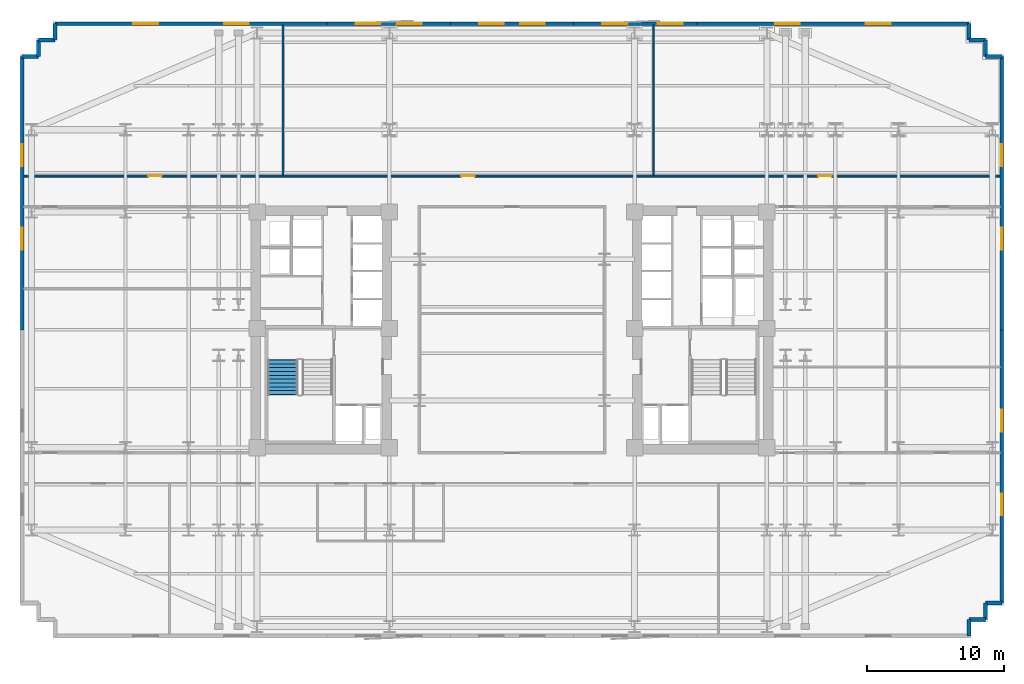
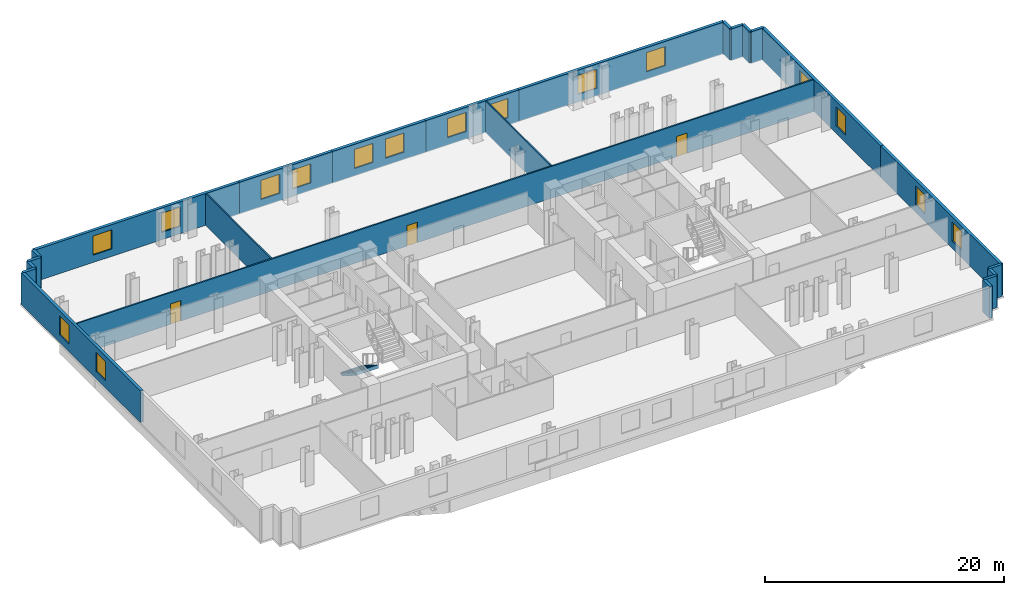
# One storey, part 7 of 10: 23 walls, 16 windows, 3 doors, 1 stair flight, 19 openings, 1 element without a shape of its own.
"""IFC4 building model written with IfcOpenShell, lengths in metres."""

from ifc_helpers import new_model, si_unit, direction, frame, frame_2d, origin, place, context, subcontext, project, spatial, polyline, rectangle, outline, extrude, material, layer, layer_set, type_object, element, fill, aggregate, save


model = new_model("IFC4")

# Units and contexts
model_context = context("Model", 3, precision=1e-05, world=origin(), true_north=direction((0.0, 1.0)))
body_context = subcontext(model_context, "Body", "Model", "MODEL_VIEW")
ifc_project = project(units=[si_unit("LENGTHUNIT", "METRE"), si_unit("AREAUNIT", "SQUARE_METRE"), si_unit("VOLUMEUNIT", "CUBIC_METRE"), si_unit("PLANEANGLEUNIT", "RADIAN"), si_unit("MASSUNIT", "GRAM", prefix="KILO")], contexts=[model_context])

# Site, building, storey
site_placement = place(None, origin())
site = spatial("IfcSite", under=ifc_project, at=site_placement, CompositionType="ELEMENT")
building_placement = place(site_placement, origin())
building = spatial("IfcBuilding", under=site, at=building_placement, Name="Velakula Bourse", CompositionType="ELEMENT")
storey_placement = place(building_placement, frame((0.0, 0.0, 31.199951171875)))
storey = spatial("IfcBuildingStorey", under=building, at=storey_placement, Name="L07", CompositionType="ELEMENT", Elevation=31.199951171875)

# Wall, openings, windows
ifc_material_1 = material(Name="Red kilned clay facing brick masonry", Category="masonry")
ifc_layer_1 = layer(ifc_material_1, 0.280029296875, Name="Red kilned clay facing brick masonry", Category="masonry")
ifc_layer_set_1 = layer_set([ifc_layer_1], Name="Red kilned clay facing brick masonry")
wall_type_1 = type_object("IfcWallType", Name="WL-EXT-BRK-280", PredefinedType="STANDARD", material=ifc_layer_set_1)
wall_1_placement = place(storey_placement, frame((-33.340087890625, 22.340087890625, 0.0), z_axis=(0.0, 0.0, 1.0), x_axis=(1.0, 0.0, 0.0)))
wall_1 = element("IfcWall", 1, at=wall_1_placement, inside=storey, type_object=wall_type_1, Name="L07 N Brick Spandrel Wall B1", PredefinedType="STANDARD", context=body_context, shape_type="SweptSolid", body=[
    extrude(rectangle(XDim=19.840087890625, YDim=0.280029296875, at=frame_2d((9.919921875, 0.0))), origin(), (0.0, 0.0, 1.0), 3.25),
])
opening_1_placement = place(wall_1_placement, frame((5.71337890625, 0.0, 0.760009765625)))
opening_1 = element("IfcOpeningElement", 2, at=opening_1_placement, cuts=wall_1, Name="Opening W-01", PredefinedType="OPENING", context=body_context, shape_type="SweptSolid", body=[
    extrude(rectangle(XDim=1.800048828125, YDim=1.949951171875, at=frame_2d((0.89990234375, 0.97509765625))), frame((0.0, 0.14990234375, 0.0), z_axis=(0.0, -1.0, 0.0), x_axis=(1.0, 0.0, 0.0)), (0.0, 0.0, 1.0), 0.300048828125),
])
opening_2_placement = place(wall_1_placement, frame((12.32666015625, 0.0, 0.760009765625)))
opening_2 = element("IfcOpeningElement", 3, at=opening_2_placement, cuts=wall_1, Name="Opening W-01", PredefinedType="OPENING", context=body_context, shape_type="SweptSolid", body=[
    extrude(rectangle(XDim=1.800048828125, YDim=1.949951171875, at=frame_2d((0.89990234375, 0.97509765625))), frame((0.0, 0.14990234375, 0.0), z_axis=(0.0, -1.0, 0.0), x_axis=(1.0, 0.0, 0.0)), (0.0, 0.0, 1.0), 0.300048828125),
])
ifc_material_2 = material(Name="Double-glazed solar-control Low-E glass", Category="glass")
window_type_1 = type_object("IfcWindowType", Name="WIN-TWR-1800x2100", PartitioningType="SINGLE_PANEL", PredefinedType="WINDOW", material=ifc_material_2)
window_1_placement = place(opening_1_placement, origin())
window_1 = element("IfcWindow", 4, at=window_1_placement, inside=storey, type_object=window_type_1, Name="L07 Deep-Set Recessed Window 1", OverallHeight=1.949951171875, OverallWidth=1.800048828125, PartitioningType="SINGLE_PANEL", PredefinedType="WINDOW", context=body_context, shape_type="SweptSolid", body=[
    extrude(rectangle(XDim=1.800048828125, YDim=1.949951171875, at=frame_2d((0.89990234375, 0.97509765625))), frame((0.0, 0.030029296875, 0.0), z_axis=(0.0, -1.0, 0.0), x_axis=(1.0, 0.0, 0.0)), (0.0, 0.0, 1.0), 0.06005859375),
])
fill(opening_1, window_1)
window_2_placement = place(opening_2_placement, origin())
window_2 = element("IfcWindow", 5, at=window_2_placement, inside=storey, type_object=window_type_1, Name="L07 Deep-Set Recessed Window 2", OverallHeight=1.949951171875, OverallWidth=1.800048828125, PartitioningType="SINGLE_PANEL", PredefinedType="WINDOW", context=body_context, shape_type="SweptSolid", body=[
    extrude(rectangle(XDim=1.800048828125, YDim=1.949951171875, at=frame_2d((0.89990234375, 0.97509765625))), frame((0.0, 0.030029296875, 0.0), z_axis=(0.0, -1.0, 0.0), x_axis=(1.0, 0.0, 0.0)), (0.0, 0.0, 1.0), 0.06005859375),
])
fill(opening_2, window_2)

wall_2_placement = place(storey_placement, frame((-13.5, 22.340087890625, 0.0), z_axis=(0.0, 0.0, 1.0), x_axis=(1.0, 0.0, 0.0)))
wall_2 = element("IfcWall", 6, at=wall_2_placement, inside=storey, type_object=wall_type_1, Name="L07 N Brick Spandrel Wall B2", PredefinedType="STANDARD", context=body_context, shape_type="SweptSolid", body=[
    extrude(rectangle(XDim=9.0, YDim=0.280029296875, at=frame_2d((4.5, 0.0))), origin(), (0.0, 0.0, 1.0), 3.25),
])
opening_3_placement = place(wall_2_placement, frame((2.10009765625, 0.0, 0.760009765625)))
opening_3 = element("IfcOpeningElement", 7, at=opening_3_placement, cuts=wall_2, Name="Opening W-01", PredefinedType="OPENING", context=body_context, shape_type="SweptSolid", body=[
    extrude(rectangle(XDim=1.800048828125, YDim=1.949951171875, at=frame_2d((0.89990234375, 0.97509765625))), frame((0.0, 0.14990234375, 0.0), z_axis=(0.0, -1.0, 0.0), x_axis=(1.0, 0.0, 0.0)), (0.0, 0.0, 1.0), 0.300048828125),
])
opening_4_placement = place(wall_2_placement, frame((5.10009765625, 0.0, 0.760009765625)))
opening_4 = element("IfcOpeningElement", 8, at=opening_4_placement, cuts=wall_2, Name="Opening W-01", PredefinedType="OPENING", context=body_context, shape_type="SweptSolid", body=[
    extrude(rectangle(XDim=1.800048828125, YDim=1.949951171875, at=frame_2d((0.89990234375, 0.97509765625))), frame((0.0, 0.14990234375, 0.0), z_axis=(0.0, -1.0, 0.0), x_axis=(1.0, 0.0, 0.0)), (0.0, 0.0, 1.0), 0.300048828125),
])
window_3_placement = place(opening_3_placement, origin())
window_3 = element("IfcWindow", 9, at=window_3_placement, inside=storey, type_object=window_type_1, Name="L07 Deep-Set Recessed Window 1", OverallHeight=1.949951171875, OverallWidth=1.800048828125, PartitioningType="SINGLE_PANEL", PredefinedType="WINDOW", context=body_context, shape_type="SweptSolid", body=[
    extrude(rectangle(XDim=1.800048828125, YDim=1.949951171875, at=frame_2d((0.89990234375, 0.97509765625))), frame((0.0, 0.030029296875, 0.0), z_axis=(0.0, -1.0, 0.0), x_axis=(1.0, 0.0, 0.0)), (0.0, 0.0, 1.0), 0.06005859375),
])
fill(opening_3, window_3)
window_4_placement = place(opening_4_placement, origin())
window_4 = element("IfcWindow", 10, at=window_4_placement, inside=storey, type_object=window_type_1, Name="L07 Deep-Set Recessed Window 2", OverallHeight=1.949951171875, OverallWidth=1.800048828125, PartitioningType="SINGLE_PANEL", PredefinedType="WINDOW", context=body_context, shape_type="SweptSolid", body=[
    extrude(rectangle(XDim=1.800048828125, YDim=1.949951171875, at=frame_2d((0.89990234375, 0.97509765625))), frame((0.0, 0.030029296875, 0.0), z_axis=(0.0, -1.0, 0.0), x_axis=(1.0, 0.0, 0.0)), (0.0, 0.0, 1.0), 0.06005859375),
])
fill(opening_4, window_4)

wall_3_placement = place(storey_placement, frame((-4.5, 22.340087890625, 0.0), z_axis=(0.0, 0.0, 1.0), x_axis=(1.0, 0.0, 0.0)))
wall_3 = element("IfcWall", 11, at=wall_3_placement, inside=storey, type_object=wall_type_1, Name="L07 N Brick Spandrel Wall B3", PredefinedType="STANDARD", context=body_context, shape_type="SweptSolid", body=[
    extrude(rectangle(XDim=9.0, YDim=0.280029296875, at=frame_2d((4.5, 0.0))), origin(), (0.0, 0.0, 1.0), 3.25),
])
opening_5_placement = place(wall_3_placement, frame((2.10009765625, 0.0, 0.760009765625)))
opening_5 = element("IfcOpeningElement", 12, at=opening_5_placement, cuts=wall_3, Name="Opening W-01", PredefinedType="OPENING", context=body_context, shape_type="SweptSolid", body=[
    extrude(rectangle(XDim=1.800048828125, YDim=1.949951171875, at=frame_2d((0.89990234375, 0.97509765625))), frame((0.0, 0.14990234375, 0.0), z_axis=(0.0, -1.0, 0.0), x_axis=(1.0, 0.0, 0.0)), (0.0, 0.0, 1.0), 0.300048828125),
])
opening_6_placement = place(wall_3_placement, frame((5.10009765625, 0.0, 0.760009765625)))
opening_6 = element("IfcOpeningElement", 13, at=opening_6_placement, cuts=wall_3, Name="Opening W-01", PredefinedType="OPENING", context=body_context, shape_type="SweptSolid", body=[
    extrude(rectangle(XDim=1.800048828125, YDim=1.949951171875, at=frame_2d((0.89990234375, 0.97509765625))), frame((0.0, 0.14990234375, 0.0), z_axis=(0.0, -1.0, 0.0), x_axis=(1.0, 0.0, 0.0)), (0.0, 0.0, 1.0), 0.300048828125),
])
window_5_placement = place(opening_5_placement, origin())
window_5 = element("IfcWindow", 14, at=window_5_placement, inside=storey, type_object=window_type_1, Name="L07 Deep-Set Recessed Window 1", OverallHeight=1.949951171875, OverallWidth=1.800048828125, PartitioningType="SINGLE_PANEL", PredefinedType="WINDOW", context=body_context, shape_type="SweptSolid", body=[
    extrude(rectangle(XDim=1.800048828125, YDim=1.949951171875, at=frame_2d((0.89990234375, 0.97509765625))), frame((0.0, 0.030029296875, 0.0), z_axis=(0.0, -1.0, 0.0), x_axis=(1.0, 0.0, 0.0)), (0.0, 0.0, 1.0), 0.06005859375),
])
fill(opening_5, window_5)
window_6_placement = place(opening_6_placement, origin())
window_6 = element("IfcWindow", 15, at=window_6_placement, inside=storey, type_object=window_type_1, Name="L07 Deep-Set Recessed Window 2", OverallHeight=1.949951171875, OverallWidth=1.800048828125, PartitioningType="SINGLE_PANEL", PredefinedType="WINDOW", context=body_context, shape_type="SweptSolid", body=[
    extrude(rectangle(XDim=1.800048828125, YDim=1.949951171875, at=frame_2d((0.89990234375, 0.97509765625))), frame((0.0, 0.030029296875, 0.0), z_axis=(0.0, -1.0, 0.0), x_axis=(1.0, 0.0, 0.0)), (0.0, 0.0, 1.0), 0.06005859375),
])
fill(opening_6, window_6)

wall_4_placement = place(storey_placement, frame((4.5, 22.340087890625, 0.0), z_axis=(0.0, 0.0, 1.0), x_axis=(1.0, 0.0, 0.0)))
wall_4 = element("IfcWall", 16, at=wall_4_placement, inside=storey, type_object=wall_type_1, Name="L07 N Brick Spandrel Wall B4", PredefinedType="STANDARD", context=body_context, shape_type="SweptSolid", body=[
    extrude(rectangle(XDim=9.0, YDim=0.280029296875, at=frame_2d((4.5, 0.0))), origin(), (0.0, 0.0, 1.0), 3.25),
])
opening_7_placement = place(wall_4_placement, frame((2.10009765625, 0.0, 0.760009765625)))
opening_7 = element("IfcOpeningElement", 17, at=opening_7_placement, cuts=wall_4, Name="Opening W-01", PredefinedType="OPENING", context=body_context, shape_type="SweptSolid", body=[
    extrude(rectangle(XDim=1.800048828125, YDim=1.949951171875, at=frame_2d((0.89990234375, 0.97509765625))), frame((0.0, 0.14990234375, 0.0), z_axis=(0.0, -1.0, 0.0), x_axis=(1.0, 0.0, 0.0)), (0.0, 0.0, 1.0), 0.300048828125),
])
opening_8_placement = place(wall_4_placement, frame((6.14990234375, 0.0, 0.760009765625)))
opening_8 = element("IfcOpeningElement", 18, at=opening_8_placement, cuts=wall_4, Name="Opening W-01", PredefinedType="OPENING", context=body_context, shape_type="SweptSolid", body=[
    extrude(rectangle(XDim=1.800048828125, YDim=1.949951171875, at=frame_2d((0.89990234375, 0.97509765625))), frame((0.0, 0.14990234375, 0.0), z_axis=(0.0, -1.0, 0.0), x_axis=(1.0, 0.0, 0.0)), (0.0, 0.0, 1.0), 0.300048828125),
])
window_7_placement = place(opening_7_placement, origin())
window_7 = element("IfcWindow", 19, at=window_7_placement, inside=storey, type_object=window_type_1, Name="L07 Deep-Set Recessed Window 1", OverallHeight=1.949951171875, OverallWidth=1.800048828125, PartitioningType="SINGLE_PANEL", PredefinedType="WINDOW", context=body_context, shape_type="SweptSolid", body=[
    extrude(rectangle(XDim=1.800048828125, YDim=1.949951171875, at=frame_2d((0.89990234375, 0.97509765625))), frame((0.0, 0.030029296875, 0.0), z_axis=(0.0, -1.0, 0.0), x_axis=(1.0, 0.0, 0.0)), (0.0, 0.0, 1.0), 0.06005859375),
])
fill(opening_7, window_7)
window_8_placement = place(opening_8_placement, origin())
window_8 = element("IfcWindow", 20, at=window_8_placement, inside=storey, type_object=window_type_1, Name="L07 Deep-Set Recessed Window 2", OverallHeight=1.949951171875, OverallWidth=1.800048828125, PartitioningType="SINGLE_PANEL", PredefinedType="WINDOW", context=body_context, shape_type="SweptSolid", body=[
    extrude(rectangle(XDim=1.800048828125, YDim=1.949951171875, at=frame_2d((0.89990234375, 0.97509765625))), frame((0.0, 0.030029296875, 0.0), z_axis=(0.0, -1.0, 0.0), x_axis=(1.0, 0.0, 0.0)), (0.0, 0.0, 1.0), 0.06005859375),
])
fill(opening_8, window_8)

wall_5_placement = place(storey_placement, frame((13.5, 22.340087890625, 0.0), z_axis=(0.0, 0.0, 1.0), x_axis=(1.0, 0.0, 0.0)))
wall_5 = element("IfcWall", 21, at=wall_5_placement, inside=storey, type_object=wall_type_1, Name="L07 N Brick Spandrel Wall B5", PredefinedType="STANDARD", context=body_context, shape_type="SweptSolid", body=[
    extrude(rectangle(XDim=19.840087890625, YDim=0.280029296875, at=frame_2d((9.919921875, 0.0))), origin(), (0.0, 0.0, 1.0), 3.25),
])
opening_9_placement = place(wall_5_placement, frame((5.71337890625, 0.0, 0.760009765625)))
opening_9 = element("IfcOpeningElement", 22, at=opening_9_placement, cuts=wall_5, Name="Opening W-01", PredefinedType="OPENING", context=body_context, shape_type="SweptSolid", body=[
    extrude(rectangle(XDim=1.800048828125, YDim=1.949951171875, at=frame_2d((0.89990234375, 0.97509765625))), frame((0.0, 0.14990234375, 0.0), z_axis=(0.0, -1.0, 0.0), x_axis=(1.0, 0.0, 0.0)), (0.0, 0.0, 1.0), 0.300048828125),
])
opening_10_placement = place(wall_5_placement, frame((12.32666015625, 0.0, 0.760009765625)))
opening_10 = element("IfcOpeningElement", 23, at=opening_10_placement, cuts=wall_5, Name="Opening W-01", PredefinedType="OPENING", context=body_context, shape_type="SweptSolid", body=[
    extrude(rectangle(XDim=1.800048828125, YDim=1.949951171875, at=frame_2d((0.89990234375, 0.97509765625))), frame((0.0, 0.14990234375, 0.0), z_axis=(0.0, -1.0, 0.0), x_axis=(1.0, 0.0, 0.0)), (0.0, 0.0, 1.0), 0.300048828125),
])
window_9_placement = place(opening_9_placement, origin())
window_9 = element("IfcWindow", 24, at=window_9_placement, inside=storey, type_object=window_type_1, Name="L07 Deep-Set Recessed Window 1", OverallHeight=1.949951171875, OverallWidth=1.800048828125, PartitioningType="SINGLE_PANEL", PredefinedType="WINDOW", context=body_context, shape_type="SweptSolid", body=[
    extrude(rectangle(XDim=1.800048828125, YDim=1.949951171875, at=frame_2d((0.89990234375, 0.97509765625))), frame((0.0, 0.030029296875, 0.0), z_axis=(0.0, -1.0, 0.0), x_axis=(1.0, 0.0, 0.0)), (0.0, 0.0, 1.0), 0.06005859375),
])
fill(opening_9, window_9)
window_10_placement = place(opening_10_placement, origin())
window_10 = element("IfcWindow", 25, at=window_10_placement, inside=storey, type_object=window_type_1, Name="L07 Deep-Set Recessed Window 2", OverallHeight=1.949951171875, OverallWidth=1.800048828125, PartitioningType="SINGLE_PANEL", PredefinedType="WINDOW", context=body_context, shape_type="SweptSolid", body=[
    extrude(rectangle(XDim=1.800048828125, YDim=1.949951171875, at=frame_2d((0.89990234375, 0.97509765625))), frame((0.0, 0.030029296875, 0.0), z_axis=(0.0, -1.0, 0.0), x_axis=(1.0, 0.0, 0.0)), (0.0, 0.0, 1.0), 0.06005859375),
])
fill(opening_10, window_10)

wall_6_placement = place(storey_placement, frame((-35.739990234375, 0.0, 0.0), z_axis=(0.0, 0.0, 1.0), x_axis=(0.0, 1.0, 0.0)))
wall_6 = element("IfcWall", 26, at=wall_6_placement, inside=storey, type_object=wall_type_1, Name="L07 W Brick End Wall W2", PredefinedType="STANDARD", context=body_context, shape_type="SweptSolid", body=[
    extrude(rectangle(XDim=19.93994140625, YDim=0.280029296875, at=frame_2d((9.969970703125, 0.0))), origin(), (0.0, 0.0, 1.0), 3.25),
])
opening_11_placement = place(wall_6_placement, frame((5.8466796875, 0.0, 0.760009765625)))
opening_11 = element("IfcOpeningElement", 27, at=opening_11_placement, cuts=wall_6, Name="Opening W-02", PredefinedType="OPENING", context=body_context, shape_type="SweptSolid", body=[
    extrude(rectangle(XDim=1.60009765625, YDim=1.949951171875, at=frame_2d((0.800048828125, 0.97509765625))), frame((0.0, 0.14990234375, 0.0), z_axis=(0.0, -1.0, 0.0), x_axis=(1.0, 0.0, 0.0)), (0.0, 0.0, 1.0), 0.300048828125),
])
opening_12_placement = place(wall_6_placement, frame((11.943359375, 0.0, 0.760009765625)))
opening_12 = element("IfcOpeningElement", 28, at=opening_12_placement, cuts=wall_6, Name="Opening W-02", PredefinedType="OPENING", context=body_context, shape_type="SweptSolid", body=[
    extrude(rectangle(XDim=1.60009765625, YDim=1.949951171875, at=frame_2d((0.800048828125, 0.97509765625))), frame((0.0, 0.14990234375, 0.0), z_axis=(0.0, -1.0, 0.0), x_axis=(1.0, 0.0, 0.0)), (0.0, 0.0, 1.0), 0.300048828125),
])
window_type_2 = type_object("IfcWindowType", Name="WIN-TWR-1600x2100", PartitioningType="SINGLE_PANEL", PredefinedType="WINDOW", material=ifc_material_2)
window_11_placement = place(opening_11_placement, origin())
window_11 = element("IfcWindow", 29, at=window_11_placement, inside=storey, type_object=window_type_2, Name="L07 Deep-Set Recessed Window 1", OverallHeight=1.949951171875, OverallWidth=1.60009765625, PartitioningType="SINGLE_PANEL", PredefinedType="WINDOW", context=body_context, shape_type="SweptSolid", body=[
    extrude(rectangle(XDim=1.60009765625, YDim=1.949951171875, at=frame_2d((0.800048828125, 0.97509765625))), frame((0.0, 0.030029296875, 0.0), z_axis=(0.0, -1.0, 0.0), x_axis=(1.0, 0.0, 0.0)), (0.0, 0.0, 1.0), 0.06005859375),
])
fill(opening_11, window_11)
window_12_placement = place(opening_12_placement, origin())
window_12 = element("IfcWindow", 30, at=window_12_placement, inside=storey, type_object=window_type_2, Name="L07 Deep-Set Recessed Window 2", OverallHeight=1.949951171875, OverallWidth=1.60009765625, PartitioningType="SINGLE_PANEL", PredefinedType="WINDOW", context=body_context, shape_type="SweptSolid", body=[
    extrude(rectangle(XDim=1.60009765625, YDim=1.949951171875, at=frame_2d((0.800048828125, 0.97509765625))), frame((0.0, 0.030029296875, 0.0), z_axis=(0.0, -1.0, 0.0), x_axis=(1.0, 0.0, 0.0)), (0.0, 0.0, 1.0), 0.06005859375),
])
fill(opening_12, window_12)

wall_7_placement = place(storey_placement, frame((35.739990234375, 0.0, 0.0), z_axis=(0.0, 0.0, 1.0), x_axis=(0.0, -1.0, 0.0)))
wall_7 = element("IfcWall", 31, at=wall_7_placement, inside=storey, type_object=wall_type_1, Name="L07 E Brick End Wall W1", PredefinedType="STANDARD", context=body_context, shape_type="SweptSolid", body=[
    extrude(rectangle(XDim=19.93994140625, YDim=0.280029296875, at=frame_2d((9.969970703125, 0.0))), origin(), (0.0, 0.0, 1.0), 3.25),
])
opening_13_placement = place(wall_7_placement, frame((5.8466796875, 0.0, 0.760009765625)))
opening_13 = element("IfcOpeningElement", 32, at=opening_13_placement, cuts=wall_7, Name="Opening W-02", PredefinedType="OPENING", context=body_context, shape_type="SweptSolid", body=[
    extrude(rectangle(XDim=1.60009765625, YDim=1.949951171875, at=frame_2d((0.800048828125, 0.97509765625))), frame((0.0, 0.14990234375, 0.0), z_axis=(0.0, -1.0, 0.0), x_axis=(1.0, 0.0, 0.0)), (0.0, 0.0, 1.0), 0.300048828125),
])
opening_14_placement = place(wall_7_placement, frame((11.943359375, 0.0, 0.760009765625)))
opening_14 = element("IfcOpeningElement", 33, at=opening_14_placement, cuts=wall_7, Name="Opening W-02", PredefinedType="OPENING", context=body_context, shape_type="SweptSolid", body=[
    extrude(rectangle(XDim=1.60009765625, YDim=1.949951171875, at=frame_2d((0.800048828125, 0.97509765625))), frame((0.0, 0.14990234375, 0.0), z_axis=(0.0, -1.0, 0.0), x_axis=(1.0, 0.0, 0.0)), (0.0, 0.0, 1.0), 0.300048828125),
])
window_13_placement = place(opening_13_placement, origin())
window_13 = element("IfcWindow", 34, at=window_13_placement, inside=storey, type_object=window_type_2, Name="L07 Deep-Set Recessed Window 1", OverallHeight=1.949951171875, OverallWidth=1.60009765625, PartitioningType="SINGLE_PANEL", PredefinedType="WINDOW", context=body_context, shape_type="SweptSolid", body=[
    extrude(rectangle(XDim=1.60009765625, YDim=1.949951171875, at=frame_2d((0.800048828125, 0.97509765625))), frame((0.0, 0.030029296875, 0.0), z_axis=(0.0, -1.0, 0.0), x_axis=(1.0, 0.0, 0.0)), (0.0, 0.0, 1.0), 0.06005859375),
])
fill(opening_13, window_13)
window_14_placement = place(opening_14_placement, origin())
window_14 = element("IfcWindow", 35, at=window_14_placement, inside=storey, type_object=window_type_2, Name="L07 Deep-Set Recessed Window 2", OverallHeight=1.949951171875, OverallWidth=1.60009765625, PartitioningType="SINGLE_PANEL", PredefinedType="WINDOW", context=body_context, shape_type="SweptSolid", body=[
    extrude(rectangle(XDim=1.60009765625, YDim=1.949951171875, at=frame_2d((0.800048828125, 0.97509765625))), frame((0.0, 0.030029296875, 0.0), z_axis=(0.0, -1.0, 0.0), x_axis=(1.0, 0.0, 0.0)), (0.0, 0.0, 1.0), 0.06005859375),
])
fill(opening_14, window_14)

wall_8_placement = place(storey_placement, frame((35.739990234375, 19.93994140625, 0.0), z_axis=(0.0, 0.0, 1.0), x_axis=(0.0, -1.0, 0.0)))
wall_8 = element("IfcWall", 36, at=wall_8_placement, inside=storey, type_object=wall_type_1, Name="L07 E Brick End Wall W2", PredefinedType="STANDARD", context=body_context, shape_type="SweptSolid", body=[
    extrude(rectangle(XDim=19.93994140625, YDim=0.280029296875, at=frame_2d((9.969970703125, 0.0))), origin(), (0.0, 0.0, 1.0), 3.25),
])
opening_15_placement = place(wall_8_placement, frame((6.396728515625, 0.0, 0.760009765625)))
opening_15 = element("IfcOpeningElement", 37, at=opening_15_placement, cuts=wall_8, Name="Opening W-02", PredefinedType="OPENING", context=body_context, shape_type="SweptSolid", body=[
    extrude(rectangle(XDim=1.60009765625, YDim=1.949951171875, at=frame_2d((0.800048828125, 0.97509765625))), frame((0.0, 0.14990234375, 0.0), z_axis=(0.0, -1.0, 0.0), x_axis=(1.0, 0.0, 0.0)), (0.0, 0.0, 1.0), 0.300048828125),
])
opening_16_placement = place(wall_8_placement, frame((12.493408203125, 0.0, 0.760009765625)))
opening_16 = element("IfcOpeningElement", 38, at=opening_16_placement, cuts=wall_8, Name="Opening W-02", PredefinedType="OPENING", context=body_context, shape_type="SweptSolid", body=[
    extrude(rectangle(XDim=1.60009765625, YDim=1.949951171875, at=frame_2d((0.800048828125, 0.97509765625))), frame((0.0, 0.14990234375, 0.0), z_axis=(0.0, -1.0, 0.0), x_axis=(1.0, 0.0, 0.0)), (0.0, 0.0, 1.0), 0.300048828125),
])
window_15_placement = place(opening_15_placement, origin())
window_15 = element("IfcWindow", 39, at=window_15_placement, inside=storey, type_object=window_type_2, Name="L07 Deep-Set Recessed Window 1", OverallHeight=1.949951171875, OverallWidth=1.60009765625, PartitioningType="SINGLE_PANEL", PredefinedType="WINDOW", context=body_context, shape_type="SweptSolid", body=[
    extrude(rectangle(XDim=1.60009765625, YDim=1.949951171875, at=frame_2d((0.800048828125, 0.97509765625))), frame((0.0, 0.030029296875, 0.0), z_axis=(0.0, -1.0, 0.0), x_axis=(1.0, 0.0, 0.0)), (0.0, 0.0, 1.0), 0.06005859375),
])
fill(opening_15, window_15)
window_16_placement = place(opening_16_placement, origin())
window_16 = element("IfcWindow", 40, at=window_16_placement, inside=storey, type_object=window_type_2, Name="L07 Deep-Set Recessed Window 2", OverallHeight=1.949951171875, OverallWidth=1.60009765625, PartitioningType="SINGLE_PANEL", PredefinedType="WINDOW", context=body_context, shape_type="SweptSolid", body=[
    extrude(rectangle(XDim=1.60009765625, YDim=1.949951171875, at=frame_2d((0.800048828125, 0.97509765625))), frame((0.0, 0.030029296875, 0.0), z_axis=(0.0, -1.0, 0.0), x_axis=(1.0, 0.0, 0.0)), (0.0, 0.0, 1.0), 0.06005859375),
])
fill(opening_16, window_16)

# Walls
wall_9_placement = place(storey_placement, frame((33.340087890625, -22.340087890625, 0.0), z_axis=(0.0, 0.0, 1.0), x_axis=(0.0, 1.0, 0.0)))
element("IfcWall", 41, at=wall_9_placement, inside=storey, type_object=wall_type_1, Name="L07 Serrated Corner Brick Wall SE-1", PredefinedType="STANDARD", context=body_context, shape_type="SweptSolid", body=[
    extrude(rectangle(XDim=1.2001953125, YDim=0.280029296875, at=frame_2d((0.60009765625, 0.0))), origin(), (0.0, 0.0, 1.0), 3.25),
])
for number, where, z_axis, x_axis, name in (
    (42, (33.340087890625, -21.139892578125, 0.0), (0.0, 0.0, 1.0), (1.0, 0.0, 0.0), "L07 Serrated Corner Brick Wall SE-2"),
    (43, (34.5400390625, -21.139892578125, 0.0), (0.0, 0.0, 1.0), (0.0, 1.0, 0.0), "L07 Serrated Corner Brick Wall SE-3"),
    (44, (34.5400390625, -19.93994140625, 0.0), (0.0, 0.0, 1.0), (1.0, 0.0, 0.0), "L07 Serrated Corner Brick Wall SE-4"),
    (45, (35.739990234375, 19.93994140625, 0.0), (0.0, 0.0, 1.0), (-1.0, 0.0, 0.0), "L07 Serrated Corner Brick Wall NE-1"),
    (46, (34.5400390625, 19.93994140625, 0.0), (0.0, 0.0, 1.0), (0.0, 1.0, 0.0), "L07 Serrated Corner Brick Wall NE-2"),
    (47, (34.5400390625, 21.139892578125, 0.0), (0.0, 0.0, 1.0), (-1.0, 0.0, 0.0), "L07 Serrated Corner Brick Wall NE-3"),
):
    element("IfcWall", number, at=place(storey_placement, frame(where, z_axis=z_axis, x_axis=x_axis)), inside=storey, type_object=wall_type_1, Name=name, PredefinedType="STANDARD", context=body_context, shape_type="SweptSolid", body=[
        extrude(rectangle(XDim=1.199951171875, YDim=0.280029296875, at=frame_2d((0.60009765625, 0.0))), origin(), (0.0, 0.0, 1.0), 3.25),
    ])
for number, where, z_axis, x_axis, name in (
    (48, (33.340087890625, 21.139892578125, 0.0), (0.0, 0.0, 1.0), (0.0, 1.0, 0.0), "L07 Serrated Corner Brick Wall NE-4"),
    (49, (-33.340087890625, 22.340087890625, 0.0), (0.0, 0.0, 1.0), (0.0, -1.0, 0.0), "L07 Serrated Corner Brick Wall NW-1"),
):
    element("IfcWall", number, at=place(storey_placement, frame(where, z_axis=z_axis, x_axis=x_axis)), inside=storey, type_object=wall_type_1, Name=name, PredefinedType="STANDARD", context=body_context, shape_type="SweptSolid", body=[
        extrude(rectangle(XDim=1.2001953125, YDim=0.280029296875, at=frame_2d((0.60009765625, 0.0))), origin(), (0.0, 0.0, 1.0), 3.25),
    ])
for number, where, z_axis, x_axis, name in (
    (50, (-33.340087890625, 21.139892578125, 0.0), (0.0, 0.0, 1.0), (-1.0, 0.0, 0.0), "L07 Serrated Corner Brick Wall NW-2"),
    (51, (-34.5400390625, 21.139892578125, 0.0), (0.0, 0.0, 1.0), (0.0, -1.0, 0.0), "L07 Serrated Corner Brick Wall NW-3"),
    (52, (-34.5400390625, 19.93994140625, 0.0), (0.0, 0.0, 1.0), (-1.0, 0.0, 0.0), "L07 Serrated Corner Brick Wall NW-4"),
):
    element("IfcWall", number, at=place(storey_placement, frame(where, z_axis=z_axis, x_axis=x_axis)), inside=storey, type_object=wall_type_1, Name=name, PredefinedType="STANDARD", context=body_context, shape_type="SweptSolid", body=[
        extrude(rectangle(XDim=1.199951171875, YDim=0.280029296875, at=frame_2d((0.60009765625, 0.0))), origin(), (0.0, 0.0, 1.0), 3.25),
    ])
ifc_material_3 = material(Name="Fire-rated double-layer gypsum drywall partition", Category="gypsum")
ifc_layer_2 = layer(ifc_material_3, 0.1201171875, Name="Fire-rated double-layer gypsum drywall partition", Category="gypsum")
ifc_layer_set_2 = layer_set([ifc_layer_2], Name="Fire-rated double-layer gypsum drywall partition")
wall_type_2 = type_object("IfcWallType", Name="WL-PART-120", PredefinedType="STANDARD", material=ifc_layer_set_2)
for number, where, z_axis, x_axis, name in (
    (53, (-16.712890625, 11.2900390625, 0.0), (0.0, 0.0, 1.0), (0.0, 1.0, 0.0), "L07 Interior Partition WL-INT-L07-N-D1"),
    (54, (10.31201171875, 11.2900390625, 0.0), (0.0, 0.0, 1.0), (0.0, 1.0, 0.0), "L07 Interior Partition WL-INT-L07-N-D2"),
):
    element("IfcWall", number, at=place(storey_placement, frame(where, z_axis=z_axis, x_axis=x_axis)), inside=storey, type_object=wall_type_2, Name=name, PredefinedType="STANDARD", context=body_context, shape_type="SweptSolid", body=[
        extrude(rectangle(XDim=10.929931640625, YDim=0.1201171875, at=frame_2d((5.46484375, 0.0))), origin(), (0.0, 0.0, 1.0), 3.25),
    ])

# Wall, openings, doors
ifc_layer_3 = layer(ifc_material_3, 0.139892578125, Name="Fire-rated double-layer gypsum drywall partition", Category="gypsum")
ifc_layer_set_3 = layer_set([ifc_layer_3], Name="Fire-rated double-layer gypsum drywall partition")
wall_type_3 = type_object("IfcWallType", Name="WL-PART-140", PredefinedType="STANDARD", material=ifc_layer_set_3)
wall_10_placement = place(storey_placement, frame((-35.6201171875, 11.219970703125, 0.0), z_axis=(0.0, 0.0, 1.0), x_axis=(1.0, 0.0, 0.0)))
wall_10 = element("IfcWall", 55, at=wall_10_placement, inside=storey, type_object=wall_type_3, Name="L07 Interior Partition WL-INT-L07-N-CORR", PredefinedType="STANDARD", context=body_context, shape_type="SweptSolid", body=[
    extrude(rectangle(XDim=71.240234375, YDim=0.139892578125, at=frame_2d((35.6201171875, 0.0))), origin(), (0.0, 0.0, 1.0), 3.25),
])
opening_17_placement = place(wall_10_placement, frame((9.07958984375, 0.0, 0.0)))
opening_17 = element("IfcOpeningElement", 56, at=opening_17_placement, cuts=wall_10, Name="Opening D-OF1", PredefinedType="OPENING", context=body_context, shape_type="SweptSolid", body=[
    extrude(rectangle(XDim=1.0, YDim=2.080078125, at=frame_2d((0.5, 1.0400390625))), frame((0.0, 0.079833984375, 0.0), z_axis=(0.0, -1.0, 0.0), x_axis=(1.0, 0.0, 0.0)), (0.0, 0.0, 1.0), 0.159912109375),
])
opening_18_placement = place(wall_10_placement, frame((31.91943359375, 0.0, 0.0)))
opening_18 = element("IfcOpeningElement", 57, at=opening_18_placement, cuts=wall_10, Name="Opening D-OF1", PredefinedType="OPENING", context=body_context, shape_type="SweptSolid", body=[
    extrude(rectangle(XDim=1.0, YDim=2.080078125, at=frame_2d((0.5, 1.0400390625))), frame((0.0, 0.079833984375, 0.0), z_axis=(0.0, -1.0, 0.0), x_axis=(1.0, 0.0, 0.0)), (0.0, 0.0, 1.0), 0.159912109375),
])
opening_19_placement = place(wall_10_placement, frame((57.9599609375, 0.0, 0.0)))
opening_19 = element("IfcOpeningElement", 58, at=opening_19_placement, cuts=wall_10, Name="Opening D-OF1", PredefinedType="OPENING", context=body_context, shape_type="SweptSolid", body=[
    extrude(rectangle(XDim=1.0, YDim=2.080078125, at=frame_2d((0.5, 1.0400390625))), frame((0.0, 0.079833984375, 0.0), z_axis=(0.0, -1.0, 0.0), x_axis=(1.0, 0.0, 0.0)), (0.0, 0.0, 1.0), 0.159912109375),
])
ifc_material_4 = material(Name="Fire-rated hardwood flush architectural door", Category="wood")
door_type = type_object("IfcDoorType", Name="DR-OFF-1000", OperationType="NOTDEFINED", PredefinedType="DOOR", material=ifc_material_4)
door_1_placement = place(opening_17_placement, origin())
door_1 = element("IfcDoor", 59, at=door_1_placement, inside=storey, type_object=door_type, Name="L07 FX Spot Dealing Workspace Door", OperationType="SINGLE_SWING_LEFT", OverallHeight=2.080078125, OverallWidth=1.0, PredefinedType="DOOR", context=body_context, shape_type="SweptSolid", body=[
    extrude(rectangle(XDim=1.0, YDim=2.080078125, at=frame_2d((0.5, 1.0400390625))), frame((0.0, 0.02490234375, 0.0), z_axis=(0.0, -1.0, 0.0), x_axis=(1.0, 0.0, 0.0)), (0.0, 0.0, 1.0), 0.050048828125),
])
fill(opening_17, door_1)
door_2_placement = place(opening_18_placement, origin())
door_2 = element("IfcDoor", 60, at=door_2_placement, inside=storey, type_object=door_type, Name="L07 Arbitration Conference Room Door", OperationType="SINGLE_SWING_RIGHT", OverallHeight=2.080078125, OverallWidth=1.0, PredefinedType="DOOR", context=body_context, shape_type="SweptSolid", body=[
    extrude(rectangle(XDim=1.0, YDim=2.080078125, at=frame_2d((0.5, 1.0400390625))), frame((0.0, 0.02490234375, 0.0), z_axis=(0.0, -1.0, 0.0), x_axis=(1.0, 0.0, 0.0)), (0.0, 0.0, 1.0), 0.050048828125),
])
fill(opening_18, door_2)
door_3_placement = place(opening_19_placement, origin())
door_3 = element("IfcDoor", 61, at=door_3_placement, inside=storey, type_object=door_type, Name="L07 Tea Room Kitchenette Door", OperationType="SINGLE_SWING_LEFT", OverallHeight=2.080078125, OverallWidth=1.0, PredefinedType="DOOR", context=body_context, shape_type="SweptSolid", body=[
    extrude(rectangle(XDim=1.0, YDim=2.080078125, at=frame_2d((0.5, 1.0400390625))), frame((0.0, 0.02490234375, 0.0), z_axis=(0.0, -1.0, 0.0), x_axis=(1.0, 0.0, 0.0)), (0.0, 0.0, 1.0), 0.050048828125),
])
fill(opening_19, door_3)

# Stair, stair flight
ifc_material_5 = material(Name="Concrete M45 (fck 45 MPa)", Category="concrete")
stair_type = type_object("IfcStairType", Name="STR-DOG-390", PredefinedType="HALF_TURN_STAIR", material=ifc_material_5)
stair_placement = place(storey_placement, origin())
stair = element("IfcStair", 62, at=stair_placement, inside=storey, type_object=stair_type, Name="L07 West Core Exit Stair ST-W1", PredefinedType="HALF_TURN_STAIR")
ifc_layer_4 = layer(ifc_material_5, 0.195068359375, Name="Concrete M45 (fck 45 MPa)", Category="concrete")
ifc_layer_set_4 = layer_set([ifc_layer_4], Name="Concrete M45 (fck 45 MPa)")
stair_flight_type = type_object("IfcStairFlightType", Name="FLT-DOG-390", PredefinedType="STRAIGHT", material=ifc_layer_set_4)
stair_flight_placement = place(storey_placement, frame((-16.720947265625, -2.199951171875, 0.0), z_axis=(0.0, 0.0, 1.0), x_axis=(0.0, -1.0, 0.0)))
stair_flight = element("IfcStairFlight", 63, at=stair_flight_placement, type_object=stair_flight_type, Name="ST-W1 flight 1", NumberOfRisers=10, NumberOfTreads=9, PredefinedType="STRAIGHT", RiserHeight=0.1725, TreadLength=0.28, context=body_context, shape_type="SweptSolid", body=[
    extrude(outline(polyline([(-0.044921875, -0.0400390625), (-0.044921875, -0.036865234375), (-0.044921875, -0.033935546875), (-0.044921875, -0.03076171875), (-0.044921875, -0.027587890625), (-0.044921875, -0.024658203125), (-0.044921875, -0.021484375), (-0.044921875, -0.0185546875), (-0.044921875, -0.015380859375), (-0.044921875, -0.01220703125), (-0.044921875, -0.00927734375), (-0.044921875, -0.006103515625), (-0.044921875, -0.003173828125), (-0.044921875, 0.0), (0.0, 0.0), (0.0, 0.172607421875), (0.280029296875, 0.172607421875), (0.280029296875, 0.344970703125), (0.56005859375, 0.344970703125), (0.56005859375, 0.517578125), (0.840087890625, 0.517578125), (0.840087890625, 0.68994140625), (1.1201171875, 0.68994140625), (1.1201171875, 0.862548828125), (1.39990234375, 0.862548828125), (1.39990234375, 1.034912109375), (1.679931640625, 1.034912109375), (1.679931640625, 1.20751953125), (1.9599609375, 1.20751953125), (1.9599609375, 1.3798828125), (2.239990234375, 1.3798828125), (2.239990234375, 1.552490234375), (2.52001953125, 1.552490234375), (2.52001953125, 1.72509765625), (2.56494140625, 1.72509765625), (2.56494140625, 1.7001953125), (2.56494140625, 1.67529296875), (2.56494140625, 1.650390625), (2.56494140625, 1.62548828125), (2.56494140625, 1.6005859375), (2.56494140625, 1.57568359375), (2.56494140625, 1.55078125), (2.56494140625, 1.52587890625), (2.56494140625, 1.5009765625), (2.56494140625, 1.47607421875), (2.56494140625, 1.451171875), (2.56494140625, 1.42626953125), (2.56494140625, 1.4013671875), (2.56494140625, 1.37646484375), (0.285888671875, -0.0400390625), (-0.044921875, -0.0400390625)])), frame((0.0, 1.09912109375, 0.0), z_axis=(0.0, -1.0, 0.0), x_axis=(1.0, 0.0, 0.0)), (0.0, 0.0, 1.0), 2.197998046875),
])
aggregate(stair, [stair_flight])

save(model, "model.ifc")
